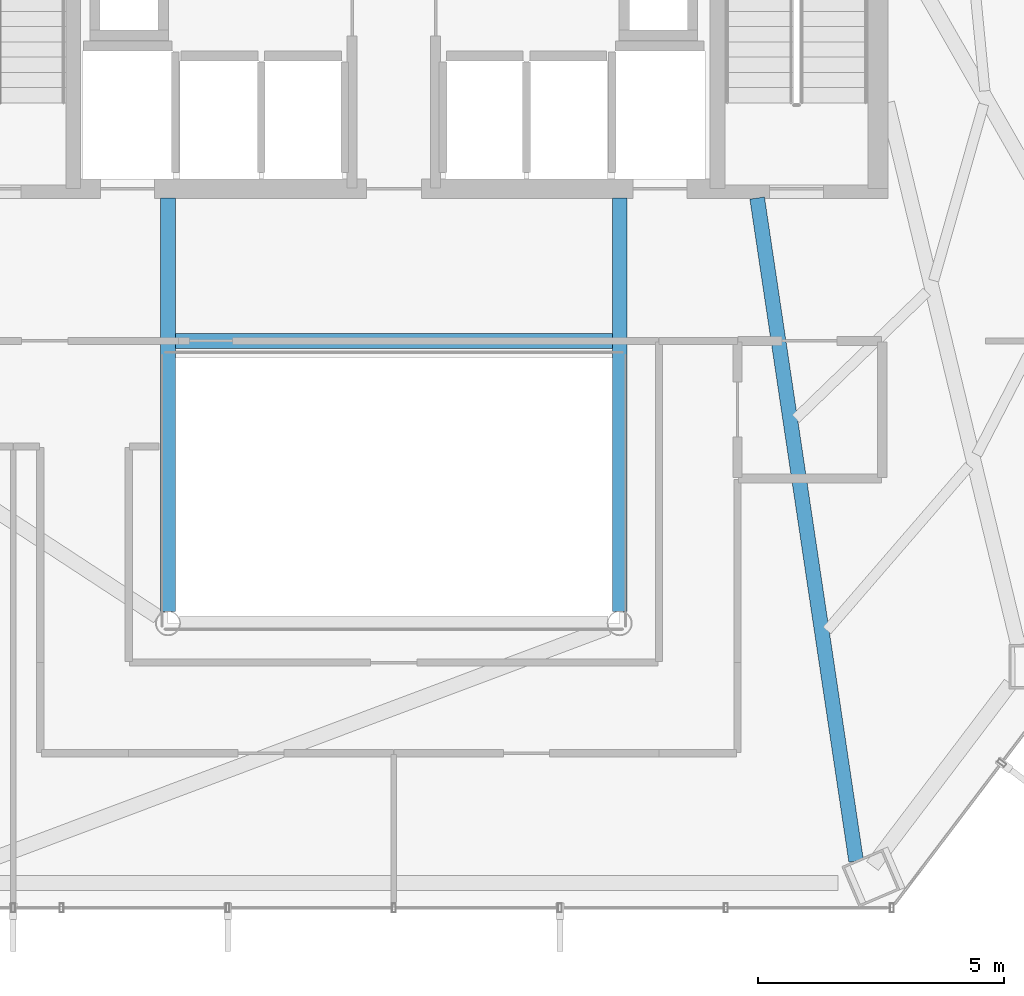
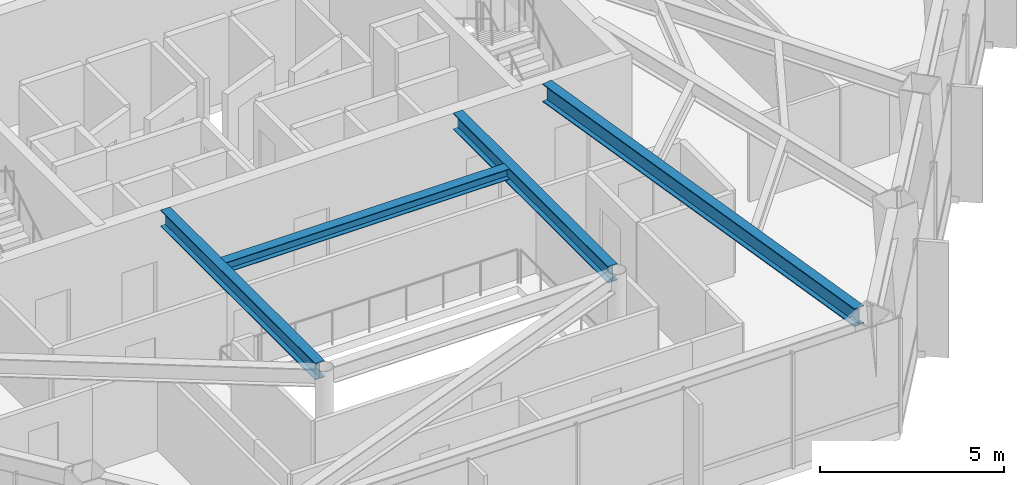
# One storey, part 11 of 27: 4 beams.
"""IFC4 building model written with IfcOpenShell, lengths in metres."""

from ifc_helpers import new_model, si_unit, direction, frame, origin, origin_2d, place, context, subcontext, project, spatial, i_section, extrude, material, material_profile, profile_set, type_object, element, save


model = new_model("IFC4")

# Units and contexts
model_context = context("Model", 3, precision=1e-05, world=origin(), true_north=direction((0.0, 1.0)))
body_context = subcontext(model_context, "Body", "Model", "MODEL_VIEW")
ifc_project = project(units=[si_unit("LENGTHUNIT", "METRE"), si_unit("AREAUNIT", "SQUARE_METRE"), si_unit("VOLUMEUNIT", "CUBIC_METRE"), si_unit("PLANEANGLEUNIT", "RADIAN"), si_unit("MASSUNIT", "GRAM", prefix="KILO")], contexts=[model_context])

# Site, building, storey
site_placement = place(None, origin())
site = spatial("IfcSite", under=ifc_project, at=site_placement, CompositionType="ELEMENT")
building_placement = place(site_placement, origin())
building = spatial("IfcBuilding", under=site, at=building_placement, Name="Zarrinselat Tower", CompositionType="ELEMENT")
storey_placement = place(building_placement, frame((0.0, 0.0, 80.580078125)))
storey = spatial("IfcBuildingStorey", under=building, at=storey_placement, Name="L19", CompositionType="ELEMENT", Elevation=80.580078125)

# Beams
ifc_material_1 = material(Name="Steel S355J2", Category="steel")
ifc_material_profile_1 = material_profile(ifc_material_1, i_section(OverallWidth=0.300048828125, OverallDepth=0.35009765625, WebThickness=0.010009765625, FlangeThickness=0.017578125, at=origin_2d()), Name="HEA 360")
ifc_profile_set_1 = profile_set([ifc_material_profile_1], Name="Steel S355J2")
beam_type_1 = type_object("IfcBeamType", Name="BM-HEA360", PredefinedType="LINTEL", material=ifc_profile_set_1)
beam_1_placement = place(storey_placement, frame((33.93994140625, 30.14990234375, 3.64501953125), z_axis=(1.0, 0.0, 0.0), x_axis=(0.0, 1.0, 0.0)))
element("IfcBeam", 1, at=beam_1_placement, inside=storey, type_object=beam_type_1, Name="L19 Lift Lobby Ceiling Beam", PredefinedType="LINTEL", context=body_context, shape_type="SweptSolid", body=[
    extrude(i_section(OverallWidth=0.300048828125, OverallDepth=0.35009765625, WebThickness=0.010009765625, FlangeThickness=0.017578125, at=origin_2d()), origin(), (0.0, 0.0, 1.0), 8.920166015625),
])
ifc_material_2 = material(Name="Steel S355J2", Category="steel")
ifc_material_profile_2 = material_profile(ifc_material_2, i_section(OverallWidth=0.300048828125, OverallDepth=0.550048828125, WebThickness=0.014892578125, FlangeThickness=0.029052734375, at=origin_2d()), Name="HEB 550")
ifc_profile_set_2 = profile_set([ifc_material_profile_2], Name="Steel S355J2")
beam_type_2 = type_object("IfcBeamType", Name="BM-HEB550", PredefinedType="BEAM", material=ifc_profile_set_2)
for number, where, z_axis, x_axis, name in (
    (2, (33.800048828125, 24.639892578125, 3.544921875), (0.0, 1.0, 0.0), (-1.0, 0.0, 0.0), "L19 Atrium Edge Beam W"),
    (3, (43.0, 24.639892578125, 3.544921875), (0.0, 1.0, 0.0), (-1.0, 0.0, 0.0), "L19 Atrium Edge Beam E"),
):
    element("IfcBeam", number, at=place(storey_placement, frame(where, z_axis=z_axis, x_axis=x_axis)), inside=storey, type_object=beam_type_2, Name=name, PredefinedType="BEAM", context=body_context, shape_type="SweptSolid", body=[
        extrude(i_section(OverallWidth=0.300048828125, OverallDepth=0.550048828125, WebThickness=0.014892578125, FlangeThickness=0.029052734375, at=origin_2d()), origin(), (0.0, 0.0, 1.0), 8.420166015625),
    ])
ifc_material_3 = material(Name="Steel S355J2", Category="steel")
ifc_material_profile_3 = material_profile(ifc_material_3, i_section(OverallWidth=0.300048828125, OverallDepth=0.60009765625, WebThickness=0.015380859375, FlangeThickness=0.030029296875, at=origin_2d()), Name="HEB 600")
ifc_profile_set_3 = profile_set([ifc_material_profile_3], Name="Steel S355J2")
beam_type_3 = type_object("IfcBeamType", Name="BM-HEB600", PredefinedType="BEAM", material=ifc_profile_set_3)
beam_2_placement = place(storey_placement, frame((45.800048828125, 33.06005859375, 3.52001953125), z_axis=(0.147652241557, -0.989039339745, 0.0), x_axis=(0.989039339745, 0.147652241557, 0.0)))
element("IfcBeam", 4, at=beam_2_placement, inside=storey, type_object=beam_type_3, Name="L19 Radial Primary Girder RG11", PredefinedType="BEAM", context=body_context, shape_type="SweptSolid", body=[
    extrude(i_section(OverallWidth=0.300048828125, OverallDepth=0.60009765625, WebThickness=0.015380859375, FlangeThickness=0.030029296875, at=origin_2d()), origin(), (0.0, 0.0, 1.0), 13.65283203125),
])

save(model, "model.ifc")
